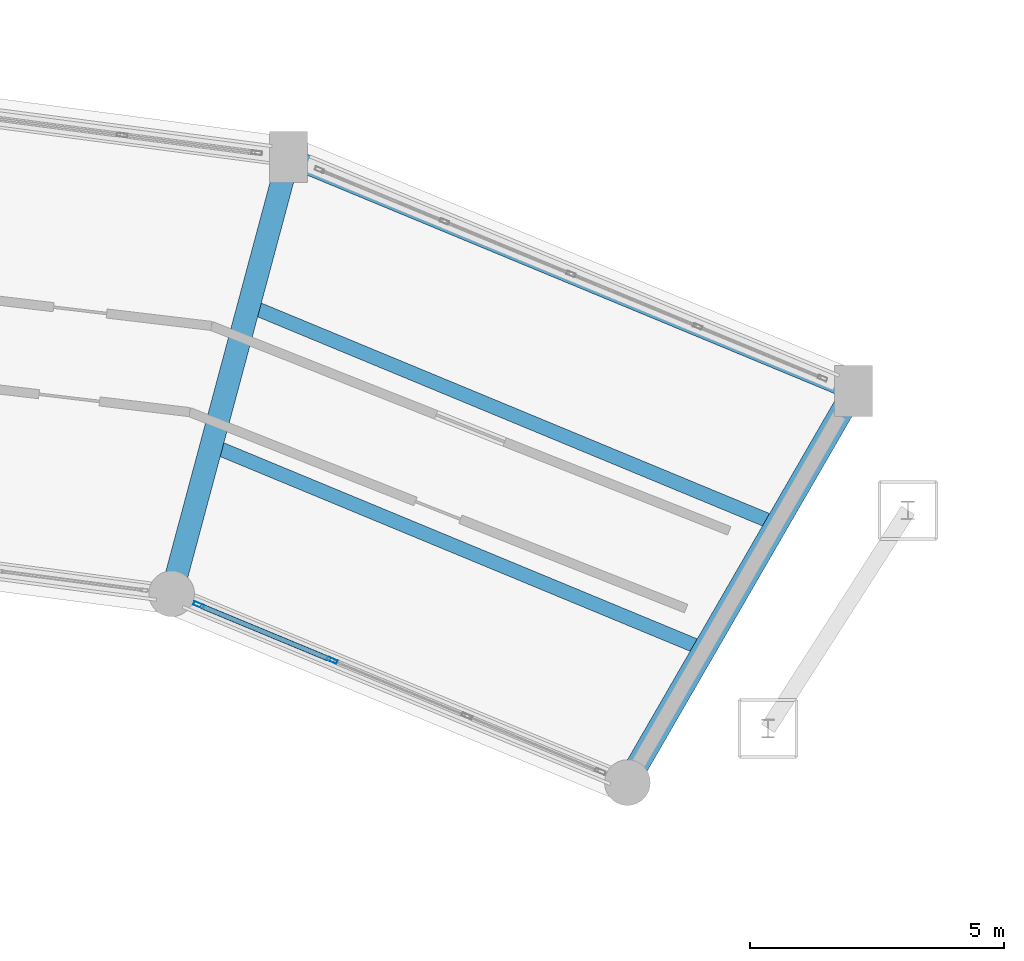
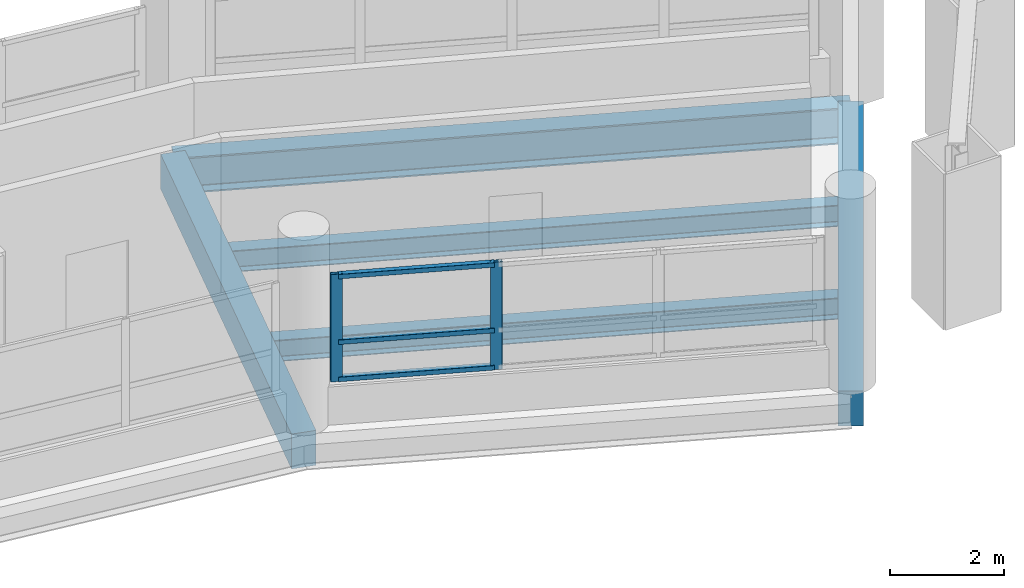
# One storey, part 69 of 128: 5 beams, 5 members, 1 element without a shape of its own.
"""IFC4 building model written with IfcOpenShell, lengths in metres."""

from ifc_helpers import new_model, si_unit, direction, frame, origin, origin_2d, place, context, subcontext, project, spatial, rectangle, hollow_rectangle, i_section, extrude, material, layer, layer_set, material_profile, profile_set, type_object, element, aggregate, save


model = new_model("IFC4")

# Units and contexts
model_context = context("Model", 3, precision=1e-05, world=origin(), true_north=direction((0.0, 1.0)))
body_context = subcontext(model_context, "Body", "Model", "MODEL_VIEW")
ifc_project = project(units=[si_unit("LENGTHUNIT", "METRE"), si_unit("AREAUNIT", "SQUARE_METRE"), si_unit("VOLUMEUNIT", "CUBIC_METRE"), si_unit("PLANEANGLEUNIT", "RADIAN"), si_unit("MASSUNIT", "GRAM", prefix="KILO")], contexts=[model_context])

# Site, building, storey
site_placement = place(None, origin())
site = spatial("IfcSite", under=ifc_project, at=site_placement, CompositionType="ELEMENT")
building_placement = place(site_placement, origin())
building = spatial("IfcBuilding", under=site, at=building_placement, Name="Vespera Passage Community Centre", CompositionType="ELEMENT")
storey_placement = place(building_placement, frame((0.0, 0.0, 4.5)))
storey = spatial("IfcBuildingStorey", under=building, at=storey_placement, Name="L01", CompositionType="ELEMENT", Elevation=4.5)

# Beams
ifc_material_1 = material(Name="Concrete f'c 35 MPa", Category="concrete")
ifc_material_profile_1 = material_profile(ifc_material_1, rectangle(XDim=0.449951171875, YDim=0.75, at=origin_2d()), Name="RC450X750")
ifc_profile_set_1 = profile_set([ifc_material_profile_1], Name="Concrete f'c 35 MPa")
beam_type_1 = type_object("IfcBeamType", Name="BM-G-450X750", PredefinedType="BEAM", material=ifc_profile_set_1)
for number, where, z_axis, x_axis, name in (
    (1, (96.60009765625, 97.716064453125, -0.614990234375), (0.499989191739, 0.866031643847, 0.0), (-0.866031643847, 0.499989191739, 0.0), "V4 L01 Radial Girder 4"),
    (2, (87.628173828125, 101.432373046875, -0.614990234375), (0.258811497245, 0.9659278487, 0.0), (-0.9659278487, 0.258811497245, 0.0), "V4 L01 Radial Girder 5"),
):
    element("IfcBeam", number, at=place(storey_placement, frame(where, z_axis=z_axis, x_axis=x_axis)), inside=storey, type_object=beam_type_1, Name=name, PredefinedType="BEAM", context=body_context, shape_type="SweptSolid", body=[
        extrude(rectangle(XDim=0.449951171875, YDim=0.75, at=origin_2d()), origin(), (0.0, 0.0, 1.0), 8.900146484375),
    ])
ifc_material_2 = material(Name="Steel ASTM A992 Grade 50", Category="steel")
ifc_material_profile_2 = material_profile(ifc_material_2, i_section(OverallWidth=0.280517578125, OverallDepth=0.46240234375, WebThickness=0.0107421875, FlangeThickness=0.017333984375, FilletRadius=0.01025390625, at=origin_2d()), Name="W18X76")
ifc_profile_set_2 = profile_set([ifc_material_profile_2], Name="Steel ASTM A992 Grade 50")
beam_type_2 = type_object("IfcBeamType", Name="BM-J-W18X76", PredefinedType="JOIST", material=ifc_profile_set_2)
beam_1_placement = place(storey_placement, frame((98.113037109375, 100.336669921875, -0.47119140625), z_axis=(-0.92387968492, 0.382683064417, 0.0), x_axis=(-0.382683064417, -0.92387968492, 0.0)))
element("IfcBeam", 3, at=beam_1_placement, inside=storey, type_object=beam_type_2, Name="V4 L01 Floor Joist 4.1", PredefinedType="JOIST", context=body_context, shape_type="SweptSolid", body=[
    extrude(i_section(OverallWidth=0.280517578125, OverallDepth=0.46240234375, WebThickness=0.0107421875, FlangeThickness=0.017333984375, FilletRadius=0.01025390625, at=origin_2d()), origin(), (0.0, 0.0, 1.0), 10.5009765625),
])
beam_2_placement = place(storey_placement, frame((99.537109375, 102.80322265625, -0.47119140625), z_axis=(-0.923884257257, 0.38267202562, 0.0), x_axis=(-0.38267202562, -0.923884257257, 0.0)))
element("IfcBeam", 4, at=beam_2_placement, inside=storey, type_object=beam_type_2, Name="V4 L01 Floor Joist 4.2", PredefinedType="JOIST", context=body_context, shape_type="SweptSolid", body=[
    extrude(i_section(OverallWidth=0.280517578125, OverallDepth=0.46240234375, WebThickness=0.0107421875, FlangeThickness=0.017333984375, FilletRadius=0.01025390625, at=origin_2d()), origin(), (0.0, 0.0, 1.0), 11.24462890625),
])
ifc_material_3 = material(Name="Steel ASTM A992 Grade 50", Category="steel")
ifc_material_profile_3 = material_profile(ifc_material_3, i_section(OverallWidth=0.382080078125, OverallDepth=0.779296875, WebThickness=0.01806640625, FlangeThickness=0.030029296875, FilletRadius=0.0166015625, at=origin_2d()), Name="W30X191")
ifc_profile_set_3 = profile_set([ifc_material_profile_3], Name="Steel ASTM A992 Grade 50")
beam_type_3 = type_object("IfcBeamType", Name="BM-SP-W30X191E", PredefinedType="SPANDREL", material=ifc_profile_set_3)
beam_3_placement = place(storey_placement, frame((101.050048828125, 105.423828125, -0.629638671875), z_axis=(-0.923877379647, 0.382688629799, 0.0), x_axis=(-0.382688629799, -0.923877379647, 0.0)))
element("IfcBeam", 5, at=beam_3_placement, inside=storey, type_object=beam_type_3, Name="V4 L01 Outer Spandrel 4", PredefinedType="SPANDREL", context=body_context, shape_type="SweptSolid", body=[
    extrude(i_section(OverallWidth=0.382080078125, OverallDepth=0.779296875, WebThickness=0.01806640625, FlangeThickness=0.030029296875, FilletRadius=0.0166015625, at=origin_2d()), origin(), (0.0, 0.0, 1.0), 12.034423828125),
])

# Curtain wall, members
ifc_material_4 = material(Name="Anodized aluminium 6063-T6", Category="aluminium")
ifc_layer = layer(ifc_material_4, 0.159912109375)
ifc_layer_set = layer_set([ifc_layer], Name="Anodized aluminium 6063-T6")
curtain_wall_type = type_object("IfcCurtainWallType", Name="CW-12E", PredefinedType="NOTDEFINED", material=ifc_layer_set)
curtain_wall_placement = place(storey_placement, origin())
curtain_wall = element("IfcCurtainWall", 6, at=curtain_wall_placement, inside=storey, type_object=curtain_wall_type, Name="V4 L01 Inner Court Curtain Wall 4", PredefinedType="NOTDEFINED")
ifc_material_5 = material(Name="Anodized aluminium 6063-T6", Category="aluminium")
ifc_material_profile_4 = material_profile(ifc_material_5, hollow_rectangle(XDim=0.074951171875, YDim=0.2099609375, WallThickness=0.0048828125, InnerFilletRadius=0.00244140625, OuterFilletRadius=0.0048828125, at=origin_2d()), Name="ALU210X75X5")
ifc_profile_set_4 = profile_set([ifc_material_profile_4], Name="Anodized aluminium 6063-T6")
member_type_1 = type_object("IfcMemberType", Name="MB-CWM-210E", PredefinedType="MULLION", material=ifc_profile_set_4)
member_1_placement = place(storey_placement, frame((90.784912109375, 100.124755859375, 0.820068359375), z_axis=(0.0, 0.0, 1.0), x_axis=(-0.382690463482, -0.923876620096, 0.0)))
member_1 = element("IfcMember", 7, at=member_1_placement, type_object=member_type_1, Name="CW-12E mullion 3", PredefinedType="MULLION", context=body_context, shape_type="SweptSolid", body=[
    extrude(hollow_rectangle(XDim=0.074951171875, YDim=0.2099609375, WallThickness=0.0048828125, InnerFilletRadius=0.00244140625, OuterFilletRadius=0.0048828125, at=origin_2d()), origin(), (0.0, 0.0, 1.0), 2.309326171875),
])
member_2_placement = place(storey_placement, frame((88.161376953125, 101.211669921875, 0.820068359375), z_axis=(0.0, 0.0, 1.0), x_axis=(-0.382690463482, -0.923876620096, 0.0)))
member_2 = element("IfcMember", 8, at=member_2_placement, type_object=member_type_1, Name="CW-12E mullion 4", PredefinedType="MULLION", context=body_context, shape_type="SweptSolid", body=[
    extrude(hollow_rectangle(XDim=0.074951171875, YDim=0.2099609375, WallThickness=0.0048828125, InnerFilletRadius=0.00244140625, OuterFilletRadius=0.0048828125, at=origin_2d()), origin(), (0.0, 0.0, 1.0), 2.309326171875),
])
ifc_material_6 = material(Name="Anodized aluminium 6063-T6", Category="aluminium")
ifc_material_profile_5 = material_profile(ifc_material_6, hollow_rectangle(XDim=0.10009765625, YDim=0.10009765625, WallThickness=0.00390625, InnerFilletRadius=0.001953125, OuterFilletRadius=0.00390625, at=origin_2d()), Name="ALU100X100X4")
ifc_profile_set_5 = profile_set([ifc_material_profile_5], Name="Anodized aluminium 6063-T6")
member_type_2 = type_object("IfcMemberType", Name="MB-CWT-100E", PredefinedType="USERDEFINED", material=ifc_profile_set_5)
member_3_placement = place(storey_placement, frame((90.750244140625, 100.13916015625, 0.8701171875), z_axis=(-0.923863992677, 0.382720946689, 0.0), x_axis=(-0.382720946689, -0.923863992677, 0.0)))
member_3 = element("IfcMember", 9, at=member_3_placement, type_object=member_type_2, Name="CW-12E transom 3.1", ObjectType="TRANSOM", PredefinedType="USERDEFINED", context=body_context, shape_type="SweptSolid", body=[
    extrude(hollow_rectangle(XDim=0.10009765625, YDim=0.10009765625, WallThickness=0.00390625, InnerFilletRadius=0.001953125, OuterFilletRadius=0.00390625, at=origin_2d()), origin(), (0.0, 0.0, 1.0), 2.7646484375),
])
member_4_placement = place(storey_placement, frame((90.750244140625, 100.13916015625, 1.669921875), z_axis=(-0.923863992677, 0.382720946689, 0.0), x_axis=(-0.382720946689, -0.923863992677, 0.0)))
member_4 = element("IfcMember", 10, at=member_4_placement, type_object=member_type_2, Name="CW-12E transom 3.2", ObjectType="TRANSOM", PredefinedType="USERDEFINED", context=body_context, shape_type="SweptSolid", body=[
    extrude(hollow_rectangle(XDim=0.10009765625, YDim=0.10009765625, WallThickness=0.00390625, InnerFilletRadius=0.001953125, OuterFilletRadius=0.00390625, at=origin_2d()), origin(), (0.0, 0.0, 1.0), 2.7646484375),
])
member_5_placement = place(storey_placement, frame((90.750244140625, 100.13916015625, 3.07958984375), z_axis=(-0.923863992677, 0.382720946689, 0.0), x_axis=(-0.382720946689, -0.923863992677, 0.0)))
member_5 = element("IfcMember", 11, at=member_5_placement, type_object=member_type_2, Name="CW-12E transom 3.3", ObjectType="TRANSOM", PredefinedType="USERDEFINED", context=body_context, shape_type="SweptSolid", body=[
    extrude(hollow_rectangle(XDim=0.10009765625, YDim=0.10009765625, WallThickness=0.00390625, InnerFilletRadius=0.001953125, OuterFilletRadius=0.00390625, at=origin_2d()), origin(), (0.0, 0.0, 1.0), 2.7646484375),
])
aggregate(curtain_wall, [member_1, member_2, member_3, member_4, member_5])

save(model, "model.ifc")
